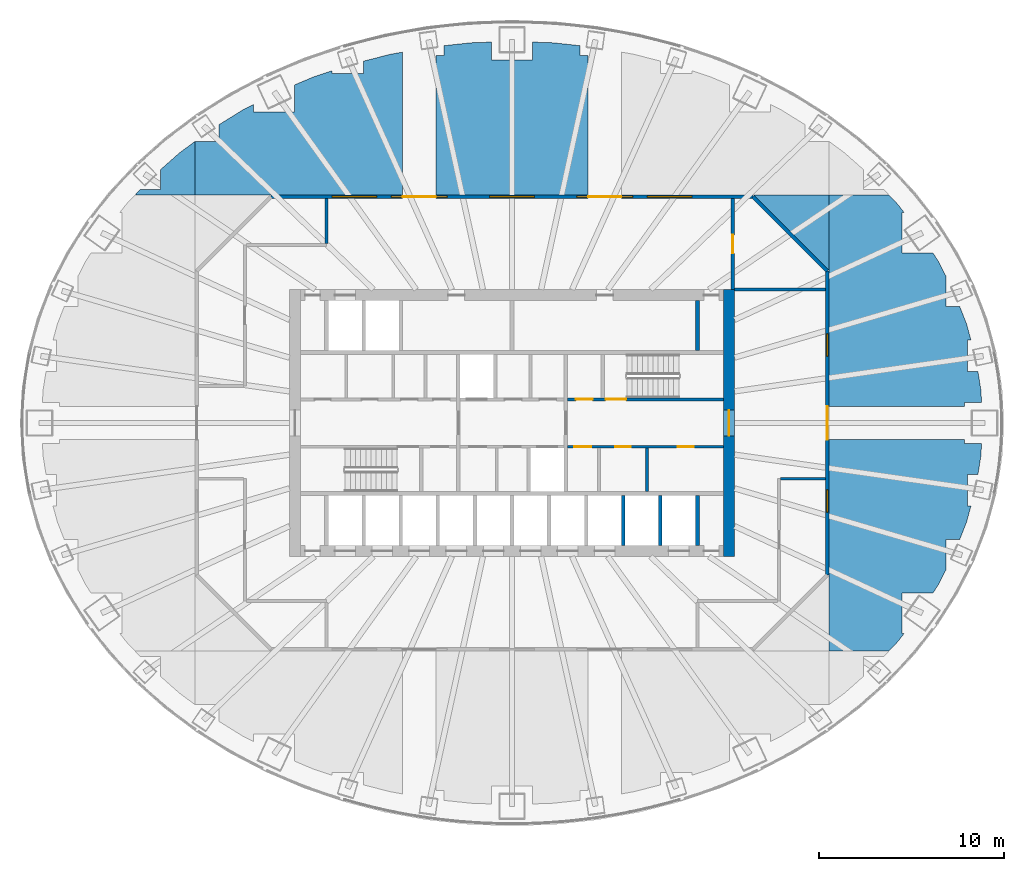
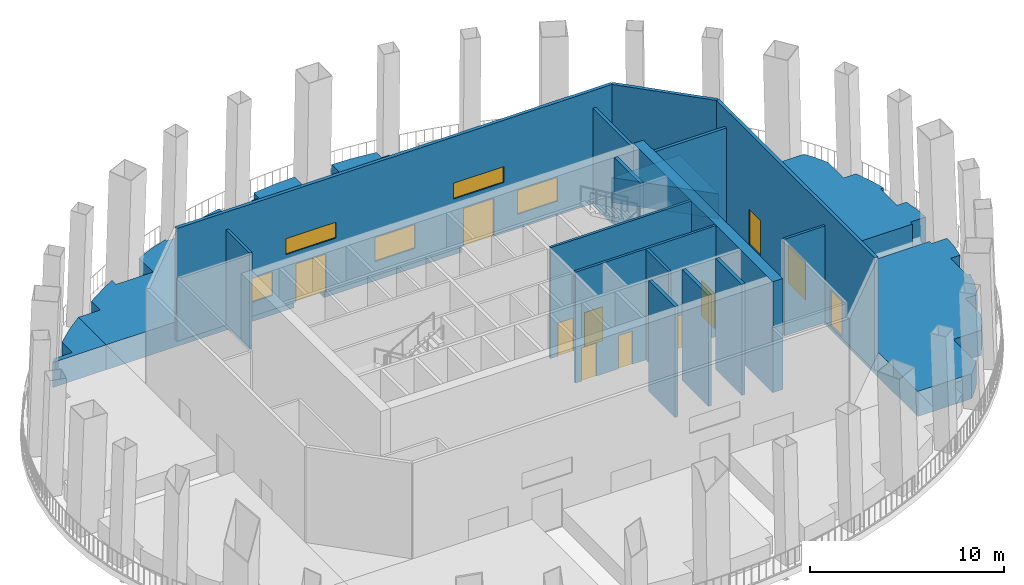
# One storey, part 6 of 13: 21 walls, 10 doors, 7 windows, 17 openings.
"""IFC4 building model written with IfcOpenShell, lengths in metres."""

from ifc_helpers import new_model, si_unit, direction, frame, frame_2d, origin, place, context, subcontext, project, spatial, polyline, rectangle, outline, extrude, material, layer, layer_set, type_object, element, fill, save


model = new_model("IFC4")

# Units and contexts
model_context = context("Model", 3, precision=1e-05, world=origin(), true_north=direction((0.0, 1.0)))
body_context = subcontext(model_context, "Body", "Model", "MODEL_VIEW")
ifc_project = project(units=[si_unit("LENGTHUNIT", "METRE"), si_unit("AREAUNIT", "SQUARE_METRE"), si_unit("VOLUMEUNIT", "CUBIC_METRE"), si_unit("PLANEANGLEUNIT", "RADIAN"), si_unit("MASSUNIT", "GRAM", prefix="KILO")], contexts=[model_context])

# Site, building, storey
site_placement = place(None, origin())
site = spatial("IfcSite", under=ifc_project, at=site_placement, CompositionType="ELEMENT")
building_placement = place(site_placement, origin())
building = spatial("IfcBuilding", under=site, at=building_placement, Name="Siaravel Broadcast Tower", CompositionType="ELEMENT")
storey_placement = place(building_placement, frame((0.0, 0.0, 85.199951171875)))
storey = spatial("IfcBuildingStorey", under=building, at=storey_placement, Name="L20", CompositionType="ELEMENT", Elevation=85.199951171875)

# Wall
ifc_material_1 = material(Name="Concrete blockwork", Category="masonry")
ifc_layer_1 = layer(ifc_material_1, 0.14990234375)
ifc_layer_set_1 = layer_set([ifc_layer_1], Name="Concrete blockwork")
wall_type_1 = type_object("IfcWallType", Name="Core partition 150", PredefinedType="PARTITIONING", material=ifc_layer_set_1)
wall_1_placement = place(storey_placement, frame((7.27490234375, -3.699951171875, 0.0), z_axis=(0.0, 0.0, 1.0), x_axis=(0.0, 1.0, 0.0)))
element("IfcWall", 1, at=wall_1_placement, inside=storey, type_object=wall_type_1, Name="L20 core partition PSE1", PredefinedType="PARTITIONING", context=body_context, shape_type="SweptSolid", body=[
    extrude(rectangle(XDim=2.349853515625, YDim=0.14990234375, at=frame_2d((1.1748046875, 0.0))), origin(), (0.0, 0.0, 1.0), 7.0),
])

# Wall, opening, door
ifc_material_2 = material(Name="Concrete C60/75", Category="concrete")
ifc_layer_2 = layer(ifc_material_2, 0.60009765625)
ifc_layer_set_2 = layer_set([ifc_layer_2], Name="Concrete C60/75")
wall_type_2 = type_object("IfcWallType", Name="Core wall 600", PredefinedType="SHEAR", material=ifc_layer_set_2)
wall_2_placement = place(storey_placement, frame((11.699951171875, -7.199951171875, 0.0), z_axis=(0.0, 0.0, 1.0), x_axis=(0.0, 1.0, 0.0)))
wall_2 = element("IfcWall", 2, at=wall_2_placement, inside=storey, type_object=wall_type_2, Name="L20 core wall OE", PredefinedType="SHEAR", context=body_context, shape_type="SweptSolid", body=[
    extrude(rectangle(XDim=14.39990234375, YDim=0.60009765625, at=frame_2d((7.199951171875, 0.0))), origin(), (0.0, 0.0, 1.0), 7.0),
])
opening_1_placement = place(wall_2_placement, frame((6.5, 0.0, 0.0)))
opening_1 = element("IfcOpeningElement", 3, at=opening_1_placement, cuts=wall_2, Name="Opening L20-DX-E", PredefinedType="OPENING", context=body_context, shape_type="SweptSolid", body=[
    extrude(rectangle(XDim=1.39990234375, YDim=2.199951171875, at=frame_2d((0.699951171875, 1.10009765625))), frame((0.0, 0.31005859375, 0.0), z_axis=(0.0, -1.0, 0.0), x_axis=(1.0, 0.0, 0.0)), (0.0, 0.0, 1.0), 0.6201171875),
])
ifc_material_3 = material(Name="Steel", Category="steel")
door_type_1 = type_object("IfcDoorType", Name="Core exit door 1400", OperationType="DOUBLE_DOOR_SINGLE_SWING", PredefinedType="DOOR", material=ifc_material_3)
door_1_placement = place(opening_1_placement, origin())
door_1 = element("IfcDoor", 4, at=door_1_placement, inside=storey, type_object=door_type_1, Name="L20 door DX-E", OperationType="DOUBLE_DOOR_SINGLE_SWING", OverallHeight=2.199951171875, OverallWidth=1.39990234375, PredefinedType="DOOR", context=body_context, shape_type="SweptSolid", body=[
    extrude(rectangle(XDim=1.39990234375, YDim=2.199951171875, at=frame_2d((0.699951171875, 1.10009765625))), frame((0.0, 0.02490234375, 0.0), z_axis=(0.0, -1.0, 0.0), x_axis=(1.0, 0.0, 0.0)), (0.0, 0.0, 1.0), 0.050048828125),
])
fill(opening_1, door_1)

# Wall, openings, doors
ifc_material_4 = material(Name="Gypsum board partition", Category="gypsum")
ifc_layer_3 = layer(ifc_material_4, 0.14990234375)
ifc_layer_set_3 = layer_set([ifc_layer_3], Name="Gypsum board partition")
wall_type_3 = type_object("IfcWallType", Name="Corridor wall 150", PredefinedType="PARTITIONING", material=ifc_layer_set_3)
wall_3_placement = place(storey_placement, frame((3.0, -1.27490234375, 0.0), z_axis=(0.0, 0.0, 1.0), x_axis=(1.0, 0.0, 0.0)))
wall_3 = element("IfcWall", 5, at=wall_3_placement, inside=storey, type_object=wall_type_3, Name="L20 core partition CSE", PredefinedType="PARTITIONING", context=body_context, shape_type="SweptSolid", body=[
    extrude(rectangle(XDim=8.39990234375, YDim=0.14990234375, at=frame_2d((4.199951171875, 0.0))), origin(), (0.0, 0.0, 1.0), 7.0),
])
opening_2_placement = place(wall_3_placement, frame((0.360107421875, 0.0, 0.0)))
opening_2 = element("IfcOpeningElement", 6, at=opening_2_placement, cuts=wall_3, Name="Opening L20-DSE0", PredefinedType="OPENING", context=body_context, shape_type="SweptSolid", body=[
    extrude(rectangle(XDim=0.89990234375, YDim=2.10009765625, at=frame_2d((0.449951171875, 1.050048828125))), frame((0.0, 0.0849609375, 0.0), z_axis=(0.0, -1.0, 0.0), x_axis=(1.0, 0.0, 0.0)), (0.0, 0.0, 1.0), 0.169921875),
])
opening_3_placement = place(wall_3_placement, frame((2.56005859375, 0.0, 0.0)))
opening_3 = element("IfcOpeningElement", 7, at=opening_3_placement, cuts=wall_3, Name="Opening L20-DSE1", PredefinedType="OPENING", context=body_context, shape_type="SweptSolid", body=[
    extrude(rectangle(XDim=0.85009765625, YDim=2.10009765625, at=frame_2d((0.425048828125, 1.050048828125))), frame((0.0, 0.0849609375, 0.0), z_axis=(0.0, -1.0, 0.0), x_axis=(1.0, 0.0, 0.0)), (0.0, 0.0, 1.0), 0.169921875),
])
opening_4_placement = place(wall_3_placement, frame((5.949951171875, 0.0, 0.0)))
opening_4 = element("IfcOpeningElement", 8, at=opening_4_placement, cuts=wall_3, Name="Opening L20-DSE2", PredefinedType="OPENING", context=body_context, shape_type="SweptSolid", body=[
    extrude(rectangle(XDim=0.85009765625, YDim=2.10009765625, at=frame_2d((0.425048828125, 1.050048828125))), frame((0.0, 0.0849609375, 0.0), z_axis=(0.0, -1.0, 0.0), x_axis=(1.0, 0.0, 0.0)), (0.0, 0.0, 1.0), 0.169921875),
])
ifc_material_5 = material(Name="Timber veneer", Category="wood")
door_type_2 = type_object("IfcDoorType", Name="Core room door 900", OperationType="SINGLE_SWING_LEFT", PredefinedType="DOOR", material=ifc_material_5)
door_2_placement = place(opening_2_placement, origin())
door_2 = element("IfcDoor", 9, at=door_2_placement, inside=storey, type_object=door_type_2, Name="L20 door DSE0", OperationType="SINGLE_SWING_LEFT", OverallHeight=2.10009765625, OverallWidth=0.89990234375, PredefinedType="DOOR", context=body_context, shape_type="SweptSolid", body=[
    extrude(rectangle(XDim=0.89990234375, YDim=2.10009765625, at=frame_2d((0.449951171875, 1.050048828125))), frame((0.0, 0.02490234375, 0.0), z_axis=(0.0, -1.0, 0.0), x_axis=(1.0, 0.0, 0.0)), (0.0, 0.0, 1.0), 0.050048828125),
])
fill(opening_2, door_2)
door_type_3 = type_object("IfcDoorType", Name="Core toilet door 850", OperationType="SINGLE_SWING_LEFT", PredefinedType="DOOR", material=ifc_material_5)
door_3_placement = place(opening_3_placement, origin())
door_3 = element("IfcDoor", 10, at=door_3_placement, inside=storey, type_object=door_type_3, Name="L20 door DSE1", OperationType="SINGLE_SWING_LEFT", OverallHeight=2.10009765625, OverallWidth=0.85009765625, PredefinedType="DOOR", context=body_context, shape_type="SweptSolid", body=[
    extrude(rectangle(XDim=0.85009765625, YDim=2.10009765625, at=frame_2d((0.425048828125, 1.050048828125))), frame((0.0, 0.02490234375, 0.0), z_axis=(0.0, -1.0, 0.0), x_axis=(1.0, 0.0, 0.0)), (0.0, 0.0, 1.0), 0.050048828125),
])
fill(opening_3, door_3)
door_4_placement = place(opening_4_placement, origin())
door_4 = element("IfcDoor", 11, at=door_4_placement, inside=storey, type_object=door_type_3, Name="L20 door DSE2", OperationType="SINGLE_SWING_LEFT", OverallHeight=2.10009765625, OverallWidth=0.85009765625, PredefinedType="DOOR", context=body_context, shape_type="SweptSolid", body=[
    extrude(rectangle(XDim=0.85009765625, YDim=2.10009765625, at=frame_2d((0.425048828125, 1.050048828125))), frame((0.0, 0.02490234375, 0.0), z_axis=(0.0, -1.0, 0.0), x_axis=(1.0, 0.0, 0.0)), (0.0, 0.0, 1.0), 0.050048828125),
])
fill(opening_4, door_4)

# Walls
wall_4_placement = place(storey_placement, frame((-10.0, 9.677001953125, 0.0), z_axis=(0.0, 0.0, 1.0), x_axis=(0.0, 1.0, 0.0)))
element("IfcWall", 12, at=wall_4_placement, inside=storey, type_object=wall_type_3, Name="L20 partition 10", PredefinedType="PARTITIONING", context=body_context, shape_type="SweptSolid", body=[
    extrude(rectangle(XDim=2.423095703125, YDim=0.14990234375, at=frame_2d((1.21142578125, 0.0))), origin(), (0.0, 0.0, 1.0), 6.10009765625),
])
wall_5_placement = place(storey_placement, frame((16.89990234375, -3.0, 0.0), z_axis=(0.0, 0.0, 1.0), x_axis=(-1.0, 0.0, 0.0)))
element("IfcWall", 13, at=wall_5_placement, inside=storey, type_object=wall_type_3, Name="L20 partition 14", PredefinedType="PARTITIONING", context=body_context, shape_type="SweptSolid", body=[
    extrude(rectangle(XDim=2.4228515625, YDim=0.14990234375, at=frame_2d((1.21142578125, 0.0))), origin(), (0.0, 0.0, 1.0), 6.10009765625),
])
ifc_material_6 = material(Name="Concrete C40/50", Category="concrete")
ifc_layer_4 = layer(ifc_material_6, 1.0)
ifc_layer_set_4 = layer_set([ifc_layer_4], Name="Concrete C40/50")
wall_type_4 = type_object("IfcWallType", Name="Garden planter box", PredefinedType="ELEMENTEDWALL", material=ifc_layer_set_4)
wall_6_placement = place(storey_placement, frame((0.0, 0.0, -0.39990234375)))
element("IfcWall", 14, at=wall_6_placement, inside=storey, type_object=wall_type_4, Name="L20 garden planting bed 09", PredefinedType="ELEMENTEDWALL", context=body_context, shape_type="SweptSolid", body=[
    extrude(outline(polyline([(24.5146484375, -5.32666015625), (24.75048828125, -4.464111328125), (24.557373046875, -4.464111328125), (24.557373046875, -2.76416015625), (25.125244140625, -2.76416015625), (25.28271484375, -1.793701171875), (25.3203125, -1.10009765625), (24.393310546875, -1.10009765625), (24.393310546875, -0.89990234375), (17.10009765625, -0.89990234375), (17.10009765625, -8.241455078125), (17.10009765625, -12.300048828125), (20.32080078125, -12.300048828125), (20.78955078125, -11.804443359375), (21.140380859375, -11.35791015625), (21.031494140625, -11.35791015625), (21.031494140625, -9.15771484375), (22.706298828125, -9.15771484375), (23.00146484375, -8.69775390625), (23.40869140625, -7.900634765625), (23.40869140625, -6.275390625), (24.145751953125, -6.275390625), (24.5146484375, -5.32666015625)])), origin(), (0.0, 0.0, 1.0), 1.579833984375),
])
wall_7_placement = place(storey_placement, frame((0.0, 0.0, -0.39990234375)))
element("IfcWall", 15, at=wall_7_placement, inside=storey, type_object=wall_type_4, Name="L20 garden planting bed 11", PredefinedType="ELEMENTEDWALL", context=body_context, shape_type="SweptSolid", body=[
    extrude(outline(polyline([(20.32080078125, 12.300048828125), (17.10009765625, 12.300048828125), (17.10009765625, 8.241455078125), (17.10009765625, 0.89990234375), (24.393310546875, 0.89990234375), (24.393310546875, 1.10009765625), (25.3203125, 1.10009765625), (25.28271484375, 1.793701171875), (25.125244140625, 2.76416015625), (24.557373046875, 2.76416015625), (24.557373046875, 4.464111328125), (24.75048828125, 4.464111328125), (24.5146484375, 5.32666015625), (24.145751953125, 6.275390625), (23.40869140625, 6.275390625), (23.40869140625, 7.900634765625), (23.00146484375, 8.69775390625), (22.706298828125, 9.15771484375), (21.031494140625, 9.15771484375), (21.031494140625, 11.35791015625), (21.140380859375, 11.35791015625), (20.78955078125, 11.804443359375), (20.32080078125, 12.300048828125)])), origin(), (0.0, 0.0, 1.0), 1.579833984375),
])
wall_8_placement = place(storey_placement, frame((0.0, 0.0, -0.39990234375)))
element("IfcWall", 16, at=wall_8_placement, inside=storey, type_object=wall_type_4, Name="L20 garden planting bed 13", PredefinedType="ELEMENTEDWALL", context=body_context, shape_type="SweptSolid", body=[
    extrude(outline(polyline([(17.10009765625, 8.241455078125), (17.10009765625, 12.300048828125), (13.04150390625, 12.300048828125), (17.10009765625, 8.241455078125)])), origin(), (0.0, 0.0, 1.0), 1.579833984375),
])
wall_9_placement = place(storey_placement, frame((0.0, 0.0, -0.39990234375)))
element("IfcWall", 17, at=wall_9_placement, inside=storey, type_object=wall_type_4, Name="L20 garden planting bed 14", PredefinedType="ELEMENTEDWALL", context=body_context, shape_type="SweptSolid", body=[
    extrude(outline(polyline([(-20.32080078125, 12.300048828125), (-17.10009765625, 12.300048828125), (-17.10009765625, 15.177490234375), (-17.10498046875, 15.177490234375), (-17.94580078125, 14.552734375), (-18.962890625, 13.652587890625), (-18.962890625, 12.579345703125), (-20.056396484375, 12.579345703125), (-20.32080078125, 12.300048828125)])), origin(), (0.0, 0.0, 1.0), 1.579833984375),
])
wall_10_placement = place(storey_placement, frame((0.0, 0.0, -0.39990234375)))
element("IfcWall", 18, at=wall_10_placement, inside=storey, type_object=wall_type_4, Name="L20 garden planting bed 16", PredefinedType="ELEMENTEDWALL", context=body_context, shape_type="SweptSolid", body=[
    extrude(outline(polyline([(-17.10009765625, 15.177490234375), (-17.10009765625, 12.300048828125), (-13.04150390625, 12.300048828125), (-5.89990234375, 12.300048828125), (-5.89990234375, 19.99951171875), (-6.568603515625, 19.87939453125), (-8.016845703125, 19.509033203125), (-8.016845703125, 18.852783203125), (-9.716796875, 18.852783203125), (-9.716796875, 18.9912109375), (-10.725830078125, 18.65234375), (-11.726318359375, 18.22998046875), (-11.726318359375, 16.770263671875), (-13.926513671875, 16.770263671875), (-13.926513671875, 17.184326171875), (-14.556884765625, 16.858642578125), (-15.790771484375, 16.091064453125), (-15.790771484375, 15.177490234375), (-17.10009765625, 15.177490234375)])), origin(), (0.0, 0.0, 1.0), 1.579833984375),
])
wall_11_placement = place(storey_placement, frame((0.0, 0.0, -0.39990234375)))
element("IfcWall", 19, at=wall_11_placement, inside=storey, type_object=wall_type_4, Name="L20 garden planting bed 18", PredefinedType="ELEMENTEDWALL", context=body_context, shape_type="SweptSolid", body=[
    extrude(outline(polyline([(-1.10009765625, 20.541748046875), (-2.2119140625, 20.502197265625), (-3.653564453125, 20.348388671875), (-3.653564453125, 19.810302734375), (-4.10009765625, 19.810302734375), (-4.10009765625, 12.300048828125), (4.10009765625, 12.300048828125), (4.10009765625, 19.810302734375), (3.653564453125, 19.810302734375), (3.653564453125, 20.348388671875), (2.2119140625, 20.502197265625), (1.10009765625, 20.541748046875), (1.10009765625, 19.5830078125), (-1.10009765625, 19.5830078125), (-1.10009765625, 20.541748046875)])), origin(), (0.0, 0.0, 1.0), 1.579833984375),
])

# Wall, opening, door
ifc_layer_5 = layer(ifc_material_1, 0.179931640625)
ifc_layer_set_5 = layer_set([ifc_layer_5], Name="Concrete blockwork")
wall_type_5 = type_object("IfcWallType", Name="Service room fire partition 180", PredefinedType="PARTITIONING", material=ifc_layer_set_5)
wall_12_placement = place(storey_placement, frame((11.89990234375, 12.10009765625, 0.0), z_axis=(0.0, 0.0, 1.0), x_axis=(0.0, -1.0, 0.0)))
wall_12 = element("IfcWall", 20, at=wall_12_placement, inside=storey, type_object=wall_type_5, Name="L20 partition 4", PredefinedType="PARTITIONING", context=body_context, shape_type="SweptSolid", body=[
    extrude(rectangle(XDim=4.900146484375, YDim=0.179931640625, at=frame_2d((2.4501953125, 0.0))), origin(), (0.0, 0.0, 1.0), 6.10009765625),
])
opening_5_placement = place(wall_12_placement, frame((1.949951171875, 0.0, 0.0)))
opening_5 = element("IfcOpeningElement", 21, at=opening_5_placement, cuts=wall_12, Name="Opening L20-004", PredefinedType="OPENING", context=body_context, shape_type="SweptSolid", body=[
    extrude(rectangle(XDim=1.0, YDim=2.10009765625, at=frame_2d((0.5, 1.050048828125))), frame((0.0, 0.099853515625, 0.0), z_axis=(0.0, -1.0, 0.0), x_axis=(1.0, 0.0, 0.0)), (0.0, 0.0, 1.0), 0.199951171875),
])
door_type_4 = type_object("IfcDoorType", Name="Service room door 1000", OperationType="SINGLE_SWING_LEFT", PredefinedType="DOOR", material=ifc_material_3)
door_5_placement = place(opening_5_placement, origin())
door_5 = element("IfcDoor", 22, at=door_5_placement, inside=storey, type_object=door_type_4, Name="L20 door to Sky pantry", OperationType="SINGLE_SWING_RIGHT", OverallHeight=2.10009765625, OverallWidth=1.0, PredefinedType="DOOR", context=body_context, shape_type="SweptSolid", body=[
    extrude(rectangle(XDim=1.0, YDim=2.10009765625, at=frame_2d((0.5, 1.050048828125))), frame((0.0, 0.02490234375, 0.0), z_axis=(0.0, -1.0, 0.0), x_axis=(1.0, 0.0, 0.0)), (0.0, 0.0, 1.0), 0.050048828125),
])
fill(opening_5, door_5)

# Wall
wall_13_placement = place(storey_placement, frame((12.0, 7.199951171875, 0.0), z_axis=(0.0, 0.0, 1.0), x_axis=(1.0, 0.0, 0.0)))
element("IfcWall", 23, at=wall_13_placement, inside=storey, type_object=wall_type_5, Name="L20 partition 5", PredefinedType="PARTITIONING", context=body_context, shape_type="SweptSolid", body=[
    extrude(rectangle(XDim=4.89990234375, YDim=0.179931640625, at=frame_2d((2.449951171875, 0.0))), origin(), (0.0, 0.0, 1.0), 6.10009765625),
])

# Wall, openings, doors
ifc_layer_6 = layer(ifc_material_2, 0.14990234375)
ifc_layer_set_6 = layer_set([ifc_layer_6], Name="Concrete C60/75")
wall_type_6 = type_object("IfcWallType", Name="Shaft wall 150", PredefinedType="SHEAR", material=ifc_layer_set_6)
wall_14_placement = place(storey_placement, frame((3.0, 1.27490234375, 0.0), z_axis=(0.0, 0.0, 1.0), x_axis=(1.0, 0.0, 0.0)))
wall_14 = element("IfcWall", 24, at=wall_14_placement, inside=storey, type_object=wall_type_6, Name="L20 core wall CNE", PredefinedType="SHEAR", context=body_context, shape_type="SweptSolid", body=[
    extrude(rectangle(XDim=8.39990234375, YDim=0.14990234375, at=frame_2d((4.199951171875, 0.0))), origin(), (0.0, 0.0, 1.0), 7.0),
])
opening_6_placement = place(wall_14_placement, frame((2.050048828125, 0.0, 0.0)))
opening_6 = element("IfcOpeningElement", 25, at=opening_6_placement, cuts=wall_14, Name="Opening L20-DS-2", PredefinedType="OPENING", context=body_context, shape_type="SweptSolid", body=[
    extrude(rectangle(XDim=1.10009765625, YDim=2.14990234375, at=frame_2d((0.550048828125, 1.074951171875))), frame((0.0, 0.0849609375, 0.0), z_axis=(0.0, -1.0, 0.0), x_axis=(1.0, 0.0, 0.0)), (0.0, 0.0, 1.0), 0.169921875),
])
opening_7_placement = place(wall_14_placement, frame((0.449951171875, 0.0, 0.0)))
opening_7 = element("IfcOpeningElement", 26, at=opening_7_placement, cuts=wall_14, Name="Opening L20-DNE0", PredefinedType="OPENING", context=body_context, shape_type="SweptSolid", body=[
    extrude(rectangle(XDim=0.89990234375, YDim=2.10009765625, at=frame_2d((0.449951171875, 1.050048828125))), frame((0.0, 0.0849609375, 0.0), z_axis=(0.0, -1.0, 0.0), x_axis=(1.0, 0.0, 0.0)), (0.0, 0.0, 1.0), 0.169921875),
])
door_6_placement = place(opening_7_placement, origin())
door_6 = element("IfcDoor", 27, at=door_6_placement, inside=storey, type_object=door_type_2, Name="L20 door DNE0", OperationType="SINGLE_SWING_LEFT", OverallHeight=2.10009765625, OverallWidth=0.89990234375, PredefinedType="DOOR", context=body_context, shape_type="SweptSolid", body=[
    extrude(rectangle(XDim=0.89990234375, YDim=2.10009765625, at=frame_2d((0.449951171875, 1.050048828125))), frame((0.0, 0.02490234375, 0.0), z_axis=(0.0, -1.0, 0.0), x_axis=(1.0, 0.0, 0.0)), (0.0, 0.0, 1.0), 0.050048828125),
])
fill(opening_7, door_6)
door_type_5 = type_object("IfcDoorType", Name="Stair door 1100", OperationType="SINGLE_SWING_LEFT", PredefinedType="DOOR", material=ifc_material_3)
door_7_placement = place(opening_6_placement, origin())
door_7 = element("IfcDoor", 28, at=door_7_placement, inside=storey, type_object=door_type_5, Name="L20 door DS-2", OperationType="SINGLE_SWING_LEFT", OverallHeight=2.14990234375, OverallWidth=1.10009765625, PredefinedType="DOOR", context=body_context, shape_type="SweptSolid", body=[
    extrude(rectangle(XDim=1.10009765625, YDim=2.14990234375, at=frame_2d((0.550048828125, 1.074951171875))), frame((0.0, 0.02490234375, 0.0), z_axis=(0.0, -1.0, 0.0), x_axis=(1.0, 0.0, 0.0)), (0.0, 0.0, 1.0), 0.050048828125),
])
fill(opening_6, door_7)

# Walls
ifc_layer_7 = layer(ifc_material_2, 0.199951171875)
ifc_layer_set_7 = layer_set([ifc_layer_7], Name="Concrete C60/75")
wall_type_7 = type_object("IfcWallType", Name="Shaft wall 200", PredefinedType="SHEAR", material=ifc_layer_set_7)
for number, where, z_axis, x_axis, name in (
    (29, (6.0, -6.60009765625, 0.0), (0.0, 0.0, 1.0), (0.0, 1.0, 0.0), "L20 core wall SWS8"),
    (30, (8.0, -6.60009765625, 0.0), (0.0, 0.0, 1.0), (0.0, 1.0, 0.0), "L20 core wall SWS9"),
    (31, (10.0, -6.60009765625, 0.0), (0.0, 0.0, 1.0), (0.0, 1.0, 0.0), "L20 core wall SWS10"),
    (32, (10.0, 3.89990234375, 0.0), (0.0, 0.0, 1.0), (0.0, 1.0, 0.0), "L20 core wall SWN10"),
):
    element("IfcWall", number, at=place(storey_placement, frame(where, z_axis=z_axis, x_axis=x_axis)), inside=storey, type_object=wall_type_7, Name=name, PredefinedType="SHEAR", context=body_context, shape_type="SweptSolid", body=[
        extrude(rectangle(XDim=2.7001953125, YDim=0.199951171875, at=frame_2d((1.35009765625, 0.0))), origin(), (0.0, 0.0, 1.0), 7.0),
    ])

# Wall, openings, doors, windows
ifc_layer_8 = layer(ifc_material_6, 0.199951171875)
ifc_layer_set_8 = layer_set([ifc_layer_8], Name="Concrete C40/50")
wall_type_8 = type_object("IfcWallType", Name="Sky lobby enclosure wall", PredefinedType="STANDARD", material=ifc_layer_set_8)
wall_15_placement = place(storey_placement, frame((-13.0, 12.199951171875, 0.080078125), z_axis=(0.0, 0.0, 1.0), x_axis=(1.0, 0.0, 0.0)))
wall_15 = element("IfcWall", 33, at=wall_15_placement, inside=storey, type_object=wall_type_8, Name="L20 sky lobby enclosure wall N", PredefinedType="STANDARD", context=body_context, shape_type="SweptSolid", body=[
    extrude(rectangle(XDim=26.0, YDim=0.199951171875, at=frame_2d((13.0, 0.0))), origin(), (0.0, 0.0, 1.0), 7.119873046875),
])
opening_8_placement = place(wall_15_placement, frame((7.10009765625, 0.0, 0.0)))
opening_8 = element("IfcOpeningElement", 34, at=opening_8_placement, cuts=wall_15, Name="Opening L20-GDN-N1", PredefinedType="OPENING", context=body_context, shape_type="SweptSolid", body=[
    extrude(rectangle(XDim=1.800048828125, YDim=2.39990234375, at=frame_2d((0.89990234375, 1.199951171875))), frame((0.0, 0.10986328125, 0.0), z_axis=(0.0, -1.0, 0.0), x_axis=(1.0, 0.0, 0.0)), (0.0, 0.0, 1.0), 0.219970703125),
])
opening_9_placement = place(wall_15_placement, frame((17.10009765625, 0.0, 0.0)))
opening_9 = element("IfcOpeningElement", 35, at=opening_9_placement, cuts=wall_15, Name="Opening L20-GDN-N2", PredefinedType="OPENING", context=body_context, shape_type="SweptSolid", body=[
    extrude(rectangle(XDim=1.800048828125, YDim=2.39990234375, at=frame_2d((0.89990234375, 1.199951171875))), frame((0.0, 0.10986328125, 0.0), z_axis=(0.0, -1.0, 0.0), x_axis=(1.0, 0.0, 0.0)), (0.0, 0.0, 1.0), 0.219970703125),
])
opening_10_placement = place(wall_15_placement, frame((3.300048828125, 0.0, 0.89990234375)))
opening_10 = element("IfcOpeningElement", 36, at=opening_10_placement, cuts=wall_15, Name="Opening WX-1", PredefinedType="OPENING", context=body_context, shape_type="SweptSolid", body=[
    extrude(rectangle(XDim=2.39990234375, YDim=1.5, at=frame_2d((1.199951171875, 0.75))), frame((0.0, 0.10986328125, 0.0), z_axis=(0.0, -1.0, 0.0), x_axis=(1.0, 0.0, 0.0)), (0.0, 0.0, 1.0), 0.219970703125),
])
opening_11_placement = place(wall_15_placement, frame((11.800048828125, 0.0, 0.89990234375)))
opening_11 = element("IfcOpeningElement", 37, at=opening_11_placement, cuts=wall_15, Name="Opening WX-1", PredefinedType="OPENING", context=body_context, shape_type="SweptSolid", body=[
    extrude(rectangle(XDim=2.39990234375, YDim=1.5, at=frame_2d((1.199951171875, 0.75))), frame((0.0, 0.10986328125, 0.0), z_axis=(0.0, -1.0, 0.0), x_axis=(1.0, 0.0, 0.0)), (0.0, 0.0, 1.0), 0.219970703125),
])
opening_12_placement = place(wall_15_placement, frame((20.300048828125, 0.0, 0.89990234375)))
opening_12 = element("IfcOpeningElement", 38, at=opening_12_placement, cuts=wall_15, Name="Opening WX-1", PredefinedType="OPENING", context=body_context, shape_type="SweptSolid", body=[
    extrude(rectangle(XDim=2.39990234375, YDim=1.5, at=frame_2d((1.199951171875, 0.75))), frame((0.0, 0.10986328125, 0.0), z_axis=(0.0, -1.0, 0.0), x_axis=(1.0, 0.0, 0.0)), (0.0, 0.0, 1.0), 0.219970703125),
])
opening_13_placement = place(wall_15_placement, frame((6.5, 0.0, 3.199951171875)))
opening_13 = element("IfcOpeningElement", 39, at=opening_13_placement, cuts=wall_15, Name="Opening WX-3", PredefinedType="OPENING", context=body_context, shape_type="SweptSolid", body=[
    extrude(rectangle(XDim=3.0, YDim=1.0, at=frame_2d((1.5, 0.5))), frame((0.0, 0.10986328125, 0.0), z_axis=(0.0, -1.0, 0.0), x_axis=(1.0, 0.0, 0.0)), (0.0, 0.0, 1.0), 0.219970703125),
])
opening_14_placement = place(wall_15_placement, frame((16.5, 0.0, 3.199951171875)))
opening_14 = element("IfcOpeningElement", 40, at=opening_14_placement, cuts=wall_15, Name="Opening WX-3", PredefinedType="OPENING", context=body_context, shape_type="SweptSolid", body=[
    extrude(rectangle(XDim=3.0, YDim=1.0, at=frame_2d((1.5, 0.5))), frame((0.0, 0.10986328125, 0.0), z_axis=(0.0, -1.0, 0.0), x_axis=(1.0, 0.0, 0.0)), (0.0, 0.0, 1.0), 0.219970703125),
])
ifc_material_7 = material(Name="Aluminium 6063-T6", Category="aluminium")
door_type_6 = type_object("IfcDoorType", Name="Garden door", OperationType="DOUBLE_DOOR_SINGLE_SWING", PredefinedType="DOOR", material=ifc_material_7)
door_8_placement = place(opening_8_placement, origin())
door_8 = element("IfcDoor", 41, at=door_8_placement, inside=storey, type_object=door_type_6, Name="L20 garden door N1", OperationType="DOUBLE_DOOR_SINGLE_SWING", OverallHeight=2.39990234375, OverallWidth=1.800048828125, PredefinedType="DOOR", context=body_context, shape_type="SweptSolid", body=[
    extrude(rectangle(XDim=1.800048828125, YDim=2.39990234375, at=frame_2d((0.89990234375, 1.199951171875))), frame((0.0, 0.02490234375, 0.0), z_axis=(0.0, -1.0, 0.0), x_axis=(1.0, 0.0, 0.0)), (0.0, 0.0, 1.0), 0.050048828125),
])
fill(opening_8, door_8)
door_9_placement = place(opening_9_placement, origin())
door_9 = element("IfcDoor", 42, at=door_9_placement, inside=storey, type_object=door_type_6, Name="L20 garden door N2", OperationType="DOUBLE_DOOR_SINGLE_SWING", OverallHeight=2.39990234375, OverallWidth=1.800048828125, PredefinedType="DOOR", context=body_context, shape_type="SweptSolid", body=[
    extrude(rectangle(XDim=1.800048828125, YDim=2.39990234375, at=frame_2d((0.89990234375, 1.199951171875))), frame((0.0, 0.02490234375, 0.0), z_axis=(0.0, -1.0, 0.0), x_axis=(1.0, 0.0, 0.0)), (0.0, 0.0, 1.0), 0.050048828125),
])
fill(opening_9, door_9)
window_type_1 = type_object("IfcWindowType", Name="Sky lobby clerestory window 3000x1000", PartitioningType="SINGLE_PANEL", PredefinedType="WINDOW", material=ifc_material_7)
window_1_placement = place(opening_13_placement, origin())
window_1 = element("IfcWindow", 43, at=window_1_placement, inside=storey, type_object=window_type_1, Name="L20 sky lobby clerestory window N1", OverallHeight=1.0, OverallWidth=3.0, PartitioningType="SINGLE_PANEL", PredefinedType="WINDOW", context=body_context, shape_type="SweptSolid", body=[
    extrude(rectangle(XDim=3.0, YDim=1.0, at=frame_2d((1.5, 0.5))), frame((0.0, 0.030029296875, 0.0), z_axis=(0.0, -1.0, 0.0), x_axis=(1.0, 0.0, 0.0)), (0.0, 0.0, 1.0), 0.06005859375),
])
fill(opening_13, window_1)
window_2_placement = place(opening_14_placement, origin())
window_2 = element("IfcWindow", 44, at=window_2_placement, inside=storey, type_object=window_type_1, Name="L20 sky lobby clerestory window N2", OverallHeight=1.0, OverallWidth=3.0, PartitioningType="SINGLE_PANEL", PredefinedType="WINDOW", context=body_context, shape_type="SweptSolid", body=[
    extrude(rectangle(XDim=3.0, YDim=1.0, at=frame_2d((1.5, 0.5))), frame((0.0, 0.030029296875, 0.0), z_axis=(0.0, -1.0, 0.0), x_axis=(1.0, 0.0, 0.0)), (0.0, 0.0, 1.0), 0.06005859375),
])
fill(opening_14, window_2)
window_type_2 = type_object("IfcWindowType", Name="Sky lobby picture window 2400x1500", PartitioningType="SINGLE_PANEL", PredefinedType="WINDOW", material=ifc_material_7)
window_3_placement = place(opening_10_placement, origin())
window_3 = element("IfcWindow", 45, at=window_3_placement, inside=storey, type_object=window_type_2, Name="L20 sky lobby window N1", OverallHeight=1.5, OverallWidth=2.39990234375, PartitioningType="SINGLE_PANEL", PredefinedType="WINDOW", context=body_context, shape_type="SweptSolid", body=[
    extrude(rectangle(XDim=2.39990234375, YDim=1.5, at=frame_2d((1.199951171875, 0.75))), frame((0.0, 0.030029296875, 0.0), z_axis=(0.0, -1.0, 0.0), x_axis=(1.0, 0.0, 0.0)), (0.0, 0.0, 1.0), 0.06005859375),
])
fill(opening_10, window_3)
window_4_placement = place(opening_11_placement, origin())
window_4 = element("IfcWindow", 46, at=window_4_placement, inside=storey, type_object=window_type_2, Name="L20 sky lobby window N2", OverallHeight=1.5, OverallWidth=2.39990234375, PartitioningType="SINGLE_PANEL", PredefinedType="WINDOW", context=body_context, shape_type="SweptSolid", body=[
    extrude(rectangle(XDim=2.39990234375, YDim=1.5, at=frame_2d((1.199951171875, 0.75))), frame((0.0, 0.030029296875, 0.0), z_axis=(0.0, -1.0, 0.0), x_axis=(1.0, 0.0, 0.0)), (0.0, 0.0, 1.0), 0.06005859375),
])
fill(opening_11, window_4)
window_5_placement = place(opening_12_placement, origin())
window_5 = element("IfcWindow", 47, at=window_5_placement, inside=storey, type_object=window_type_2, Name="L20 sky lobby window N3", OverallHeight=1.5, OverallWidth=2.39990234375, PartitioningType="SINGLE_PANEL", PredefinedType="WINDOW", context=body_context, shape_type="SweptSolid", body=[
    extrude(rectangle(XDim=2.39990234375, YDim=1.5, at=frame_2d((1.199951171875, 0.75))), frame((0.0, 0.030029296875, 0.0), z_axis=(0.0, -1.0, 0.0), x_axis=(1.0, 0.0, 0.0)), (0.0, 0.0, 1.0), 0.06005859375),
])
fill(opening_12, window_5)

# Wall
wall_16_placement = place(storey_placement, frame((13.0, 12.199951171875, 0.080078125), z_axis=(0.0, 0.0, 1.0), x_axis=(0.707106781, -0.707106781, 0.0)))
element("IfcWall", 48, at=wall_16_placement, inside=storey, type_object=wall_type_8, Name="L20 sky lobby enclosure wall NE", PredefinedType="STANDARD", context=body_context, shape_type="SweptSolid", body=[
    extrude(rectangle(XDim=5.65673828125, YDim=0.199951171875, at=frame_2d((2.828369140625, 0.0))), origin(), (0.0, 0.0, 1.0), 7.119873046875),
])

# Wall, openings, door, windows
wall_17_placement = place(storey_placement, frame((17.0, 8.199951171875, 0.080078125), z_axis=(0.0, 0.0, 1.0), x_axis=(0.0, -1.0, 0.0)))
wall_17 = element("IfcWall", 49, at=wall_17_placement, inside=storey, type_object=wall_type_8, Name="L20 sky lobby enclosure wall E", PredefinedType="STANDARD", context=body_context, shape_type="SweptSolid", body=[
    extrude(rectangle(XDim=16.39990234375, YDim=0.199951171875, at=frame_2d((8.199951171875, 0.0))), origin(), (0.0, 0.0, 1.0), 7.119873046875),
])
opening_15_placement = place(wall_17_placement, frame((7.300048828125, 0.0, 0.0)))
opening_15 = element("IfcOpeningElement", 50, at=opening_15_placement, cuts=wall_17, Name="Opening L20-GDN-E1", PredefinedType="OPENING", context=body_context, shape_type="SweptSolid", body=[
    extrude(rectangle(XDim=1.800048828125, YDim=2.39990234375, at=frame_2d((0.89990234375, 1.199951171875))), frame((0.0, 0.10986328125, 0.0), z_axis=(0.0, -1.0, 0.0), x_axis=(1.0, 0.0, 0.0)), (0.0, 0.0, 1.0), 0.219970703125),
])
opening_16_placement = place(wall_17_placement, frame((3.39990234375, 0.0, 0.10009765625)))
opening_16 = element("IfcOpeningElement", 51, at=opening_16_placement, cuts=wall_17, Name="Opening WX-2", PredefinedType="OPENING", context=body_context, shape_type="SweptSolid", body=[
    extrude(rectangle(XDim=1.199951171875, YDim=2.199951171875, at=frame_2d((0.60009765625, 1.10009765625))), frame((0.0, 0.10986328125, 0.0), z_axis=(0.0, -1.0, 0.0), x_axis=(1.0, 0.0, 0.0)), (0.0, 0.0, 1.0), 0.219970703125),
])
opening_17_placement = place(wall_17_placement, frame((11.800048828125, 0.0, 0.10009765625)))
opening_17 = element("IfcOpeningElement", 52, at=opening_17_placement, cuts=wall_17, Name="Opening WX-2", PredefinedType="OPENING", context=body_context, shape_type="SweptSolid", body=[
    extrude(rectangle(XDim=1.199951171875, YDim=2.199951171875, at=frame_2d((0.60009765625, 1.10009765625))), frame((0.0, 0.10986328125, 0.0), z_axis=(0.0, -1.0, 0.0), x_axis=(1.0, 0.0, 0.0)), (0.0, 0.0, 1.0), 0.219970703125),
])
door_10_placement = place(opening_15_placement, origin())
door_10 = element("IfcDoor", 53, at=door_10_placement, inside=storey, type_object=door_type_6, Name="L20 garden door E1", OperationType="DOUBLE_DOOR_SINGLE_SWING", OverallHeight=2.39990234375, OverallWidth=1.800048828125, PredefinedType="DOOR", context=body_context, shape_type="SweptSolid", body=[
    extrude(rectangle(XDim=1.800048828125, YDim=2.39990234375, at=frame_2d((0.89990234375, 1.199951171875))), frame((0.0, 0.02490234375, 0.0), z_axis=(0.0, -1.0, 0.0), x_axis=(1.0, 0.0, 0.0)), (0.0, 0.0, 1.0), 0.050048828125),
])
fill(opening_15, door_10)
window_type_3 = type_object("IfcWindowType", Name="Sky lobby tall window 1200x2200", PartitioningType="SINGLE_PANEL", PredefinedType="WINDOW", material=ifc_material_7)
window_6_placement = place(opening_16_placement, origin())
window_6 = element("IfcWindow", 54, at=window_6_placement, inside=storey, type_object=window_type_3, Name="L20 sky lobby tall window E1", OverallHeight=2.199951171875, OverallWidth=1.199951171875, PartitioningType="SINGLE_PANEL", PredefinedType="WINDOW", context=body_context, shape_type="SweptSolid", body=[
    extrude(rectangle(XDim=1.199951171875, YDim=2.199951171875, at=frame_2d((0.60009765625, 1.10009765625))), frame((0.0, 0.030029296875, 0.0), z_axis=(0.0, -1.0, 0.0), x_axis=(1.0, 0.0, 0.0)), (0.0, 0.0, 1.0), 0.06005859375),
])
fill(opening_16, window_6)
window_7_placement = place(opening_17_placement, origin())
window_7 = element("IfcWindow", 55, at=window_7_placement, inside=storey, type_object=window_type_3, Name="L20 sky lobby tall window E2", OverallHeight=2.199951171875, OverallWidth=1.199951171875, PartitioningType="SINGLE_PANEL", PredefinedType="WINDOW", context=body_context, shape_type="SweptSolid", body=[
    extrude(rectangle(XDim=1.199951171875, YDim=2.199951171875, at=frame_2d((0.60009765625, 1.10009765625))), frame((0.0, 0.030029296875, 0.0), z_axis=(0.0, -1.0, 0.0), x_axis=(1.0, 0.0, 0.0)), (0.0, 0.0, 1.0), 0.06005859375),
])
fill(opening_17, window_7)

save(model, "model.ifc")
